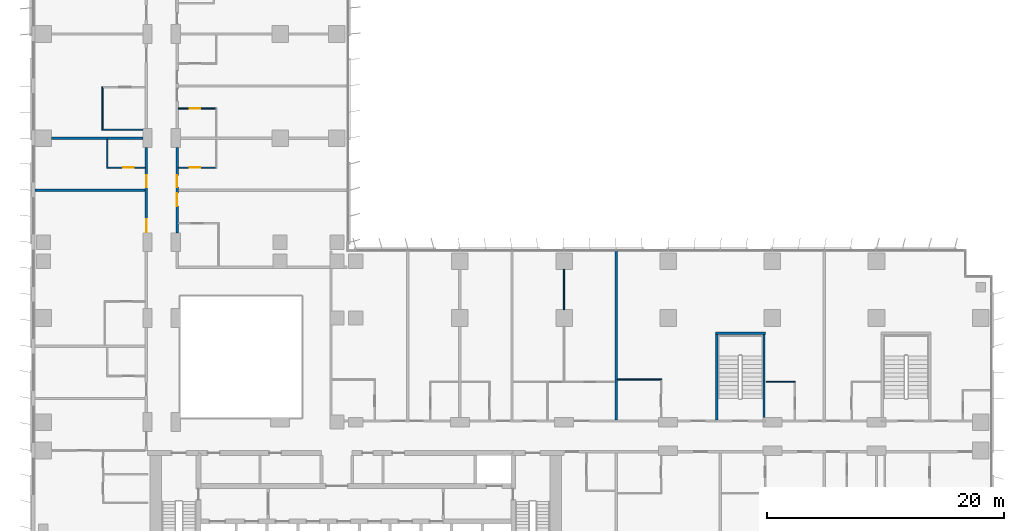
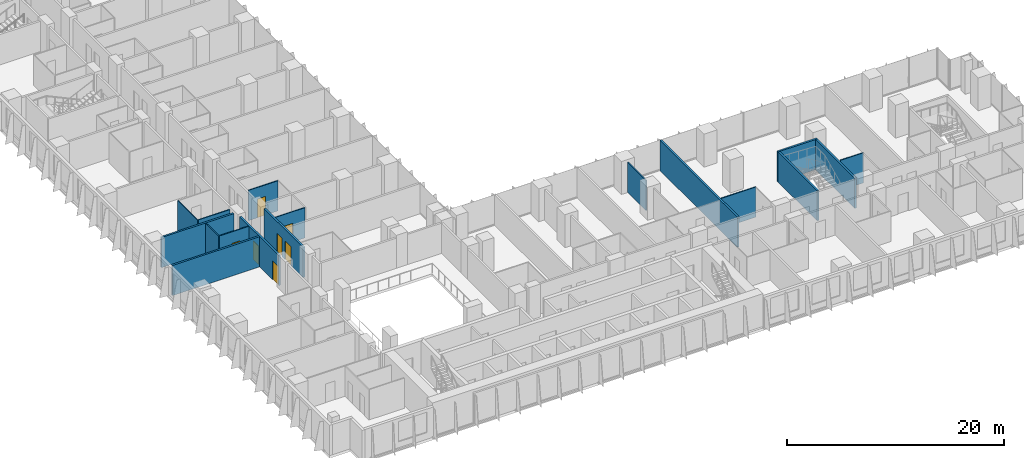
# One storey, part 15 of 24: 17 walls, 7 doors, 7 openings.
"""IFC4 building model written with IfcOpenShell, lengths in metres."""

from ifc_helpers import new_model, si_unit, direction, frame, frame_2d, origin, place, context, subcontext, project, spatial, rectangle, extrude, material, layer, layer_set, type_object, element, fill, save


model = new_model("IFC4")

# Units and contexts
model_context = context("Model", 3, precision=1e-05, world=origin(), true_north=direction((0.0, 1.0)))
body_context = subcontext(model_context, "Body", "Model", "MODEL_VIEW")
ifc_project = project(units=[si_unit("LENGTHUNIT", "METRE"), si_unit("AREAUNIT", "SQUARE_METRE"), si_unit("VOLUMEUNIT", "CUBIC_METRE"), si_unit("PLANEANGLEUNIT", "RADIAN"), si_unit("MASSUNIT", "GRAM", prefix="KILO")], contexts=[model_context])

# Site, building, storey
site_placement = place(None, origin())
site = spatial("IfcSite", under=ifc_project, at=site_placement, CompositionType="ELEMENT")
building_placement = place(site_placement, origin())
building = spatial("IfcBuilding", under=site, at=building_placement, Name="Kemantara Hotel Tower", CompositionType="ELEMENT")
storey_placement = place(building_placement, frame((0.0, 0.0, 59.89990234375)))
storey = spatial("IfcBuildingStorey", under=building, at=storey_placement, Name="L13", CompositionType="ELEMENT", Elevation=59.89990234375)

# Wall, openings, doors
ifc_material_1 = material(Name="Gypsum board partition, steel studs and mineral wool, 200 mm", Category="steel")
ifc_layer_1 = layer(ifc_material_1, 0.199951171875)
ifc_layer_set_1 = layer_set([ifc_layer_1], Name="Gypsum board partition, steel studs and mineral wool, 200 mm")
wall_type_1 = type_object("IfcWallType", Name="CORRIDOR WALL 200", PredefinedType="PARTITIONING", material=ifc_layer_set_1)
wall_1_placement = place(storey_placement, frame((9.699951171875, 28.2001953125, 0.0), z_axis=(0.0, 0.0, 1.0), x_axis=(0.0, 1.0, 0.0)))
wall_1 = element("IfcWall", 1, at=wall_1_placement, inside=storey, type_object=wall_type_1, Name="CORRIDOR WALL 200 028", PredefinedType="PARTITIONING", context=body_context, shape_type="SweptSolid", body=[
    extrude(rectangle(XDim=7.19970703125, YDim=0.199951171875, at=frame_2d((3.599853515625, 0.0))), origin(), (0.0, 0.0, 1.0), 3.400146484375),
])
opening_1_placement = place(wall_1_placement, frame((0.0498046875, 0.0, 0.0)))
opening_1 = element("IfcOpeningElement", 2, at=opening_1_placement, cuts=wall_1, Name="Opening F04-035", PredefinedType="OPENING", context=body_context, shape_type="SweptSolid", body=[
    extrude(rectangle(XDim=1.10009765625, YDim=2.10009765625, at=frame_2d((0.550048828125, 1.050048828125))), frame((0.0, 0.10986328125, 0.0), z_axis=(0.0, -1.0, 0.0), x_axis=(1.0, 0.0, 0.0)), (0.0, 0.0, 1.0), 0.219970703125),
])
opening_2_placement = place(wall_1_placement, frame((3.849853515625, 0.0, 0.0)))
opening_2 = element("IfcOpeningElement", 3, at=opening_2_placement, cuts=wall_1, Name="Opening F04-037", PredefinedType="OPENING", context=body_context, shape_type="SweptSolid", body=[
    extrude(rectangle(XDim=1.0, YDim=2.10009765625, at=frame_2d((0.5, 1.050048828125))), frame((0.0, 0.10986328125, 0.0), z_axis=(0.0, -1.0, 0.0), x_axis=(1.0, 0.0, 0.0)), (0.0, 0.0, 1.0), 0.219970703125),
])
ifc_material_2 = material(Name="Hardwood veneer door leaf with steel frame", Category="steel")
door_type_1 = type_object("IfcDoorType", Name="GUEST ROOM DOOR 1000 X 2100 FD30S", OperationType="NOTDEFINED", PredefinedType="DOOR", material=ifc_material_2)
door_1_placement = place(opening_2_placement, origin())
door_1 = element("IfcDoor", 4, at=door_1_placement, inside=storey, type_object=door_type_1, Name="GUEST ROOM DOOR F04-037", OperationType="SINGLE_SWING_LEFT", OverallHeight=2.10009765625, OverallWidth=1.0, PredefinedType="DOOR", context=body_context, shape_type="SweptSolid", body=[
    extrude(rectangle(XDim=1.0, YDim=2.10009765625, at=frame_2d((0.5, 1.050048828125))), frame((0.0, 0.02490234375, 0.0), z_axis=(0.0, -1.0, 0.0), x_axis=(1.0, 0.0, 0.0)), (0.0, 0.0, 1.0), 0.050048828125),
])
fill(opening_2, door_1)
door_type_2 = type_object("IfcDoorType", Name="SUITE ENTRANCE DOOR 1100 X 2100 FD30S", OperationType="NOTDEFINED", PredefinedType="DOOR", material=ifc_material_2)
door_2_placement = place(opening_1_placement, origin())
door_2 = element("IfcDoor", 5, at=door_2_placement, inside=storey, type_object=door_type_2, Name="SUITE ENTRANCE DOOR F04-035", OperationType="SINGLE_SWING_RIGHT", OverallHeight=2.10009765625, OverallWidth=1.10009765625, PredefinedType="DOOR", context=body_context, shape_type="SweptSolid", body=[
    extrude(rectangle(XDim=1.10009765625, YDim=2.10009765625, at=frame_2d((0.550048828125, 1.050048828125))), frame((0.0, 0.02490234375, 0.0), z_axis=(0.0, -1.0, 0.0), x_axis=(1.0, 0.0, 0.0)), (0.0, 0.0, 1.0), 0.050048828125),
])
fill(opening_1, door_2)

wall_2_placement = place(storey_placement, frame((12.300048828125, 35.39990234375, 0.0), z_axis=(0.0, 0.0, 1.0), x_axis=(0.0, -1.0, 0.0)))
wall_2 = element("IfcWall", 6, at=wall_2_placement, inside=storey, type_object=wall_type_1, Name="CORRIDOR WALL 200 048", PredefinedType="PARTITIONING", context=body_context, shape_type="SweptSolid", body=[
    extrude(rectangle(XDim=7.19970703125, YDim=0.199951171875, at=frame_2d((3.599853515625, 0.0))), origin(), (0.0, 0.0, 1.0), 3.400146484375),
])
opening_3_placement = place(wall_2_placement, frame((3.849853515625, 0.0, 0.0)))
opening_3 = element("IfcOpeningElement", 7, at=opening_3_placement, cuts=wall_2, Name="Opening F04-049", PredefinedType="OPENING", context=body_context, shape_type="SweptSolid", body=[
    extrude(rectangle(XDim=1.10009765625, YDim=2.10009765625, at=frame_2d((0.550048828125, 1.050048828125))), frame((0.0, 0.10986328125, 0.0), z_axis=(0.0, -1.0, 0.0), x_axis=(1.0, 0.0, 0.0)), (0.0, 0.0, 1.0), 0.219970703125),
])
opening_4_placement = place(wall_2_placement, frame((2.349853515625, 0.0, 0.0)))
opening_4 = element("IfcOpeningElement", 8, at=opening_4_placement, cuts=wall_2, Name="Opening F04-051", PredefinedType="OPENING", context=body_context, shape_type="SweptSolid", body=[
    extrude(rectangle(XDim=1.0, YDim=2.10009765625, at=frame_2d((0.5, 1.050048828125))), frame((0.0, 0.10986328125, 0.0), z_axis=(0.0, -1.0, 0.0), x_axis=(1.0, 0.0, 0.0)), (0.0, 0.0, 1.0), 0.219970703125),
])
door_3_placement = place(opening_4_placement, origin())
door_3 = element("IfcDoor", 9, at=door_3_placement, inside=storey, type_object=door_type_1, Name="GUEST ROOM DOOR F04-051", OperationType="SINGLE_SWING_RIGHT", OverallHeight=2.10009765625, OverallWidth=1.0, PredefinedType="DOOR", context=body_context, shape_type="SweptSolid", body=[
    extrude(rectangle(XDim=1.0, YDim=2.10009765625, at=frame_2d((0.5, 1.050048828125))), frame((0.0, 0.02490234375, 0.0), z_axis=(0.0, -1.0, 0.0), x_axis=(1.0, 0.0, 0.0)), (0.0, 0.0, 1.0), 0.050048828125),
])
fill(opening_4, door_3)
door_4_placement = place(opening_3_placement, origin())
door_4 = element("IfcDoor", 10, at=door_4_placement, inside=storey, type_object=door_type_2, Name="SUITE ENTRANCE DOOR F04-049", OperationType="SINGLE_SWING_LEFT", OverallHeight=2.10009765625, OverallWidth=1.10009765625, PredefinedType="DOOR", context=body_context, shape_type="SweptSolid", body=[
    extrude(rectangle(XDim=1.10009765625, YDim=2.10009765625, at=frame_2d((0.550048828125, 1.050048828125))), frame((0.0, 0.02490234375, 0.0), z_axis=(0.0, -1.0, 0.0), x_axis=(1.0, 0.0, 0.0)), (0.0, 0.0, 1.0), 0.050048828125),
])
fill(opening_3, door_4)

# Walls
ifc_material_3 = material(Name="Concrete fc 40 MPa", Category="concrete")
ifc_layer_2 = layer(ifc_material_3, 0.199951171875)
ifc_layer_set_2 = layer_set([ifc_layer_2], Name="Concrete fc 40 MPa")
wall_type_2 = type_object("IfcWallType", Name="Concrete stair wall 200 mm", PredefinedType="SHEAR", material=ifc_layer_set_2)
wall_3_placement = place(storey_placement, frame((57.800048828125, 19.699951171875, 0.0), z_axis=(0.0, 0.0, 1.0), x_axis=(1.0, 0.0, 0.0)))
element("IfcWall", 11, at=wall_3_placement, inside=storey, type_object=wall_type_2, Name="Stair ST3 enclosure wall N", PredefinedType="SHEAR", context=body_context, shape_type="SweptSolid", body=[
    extrude(rectangle(XDim=4.199951171875, YDim=0.199951171875, at=frame_2d((2.10009765625, 0.0))), origin(), (0.0, 0.0, 1.0), 3.400146484375),
])
for number, where, z_axis, x_axis, name in (
    (12, (57.89990234375, 12.39990234375, 0.0), (0.0, 0.0, 1.0), (0.0, 1.0, 0.0), "Stair ST3 enclosure wall W"),
    (13, (61.89990234375, 12.39990234375, 0.0), (0.0, 0.0, 1.0), (0.0, 1.0, 0.0), "Stair ST3 enclosure wall E"),
):
    element("IfcWall", number, at=place(storey_placement, frame(where, z_axis=z_axis, x_axis=x_axis)), inside=storey, type_object=wall_type_2, Name=name, PredefinedType="SHEAR", context=body_context, shape_type="SweptSolid", body=[
        extrude(rectangle(XDim=7.2001953125, YDim=0.199951171875, at=frame_2d((3.60009765625, 0.0))), origin(), (0.0, 0.0, 1.0), 3.400146484375),
    ])
ifc_layer_3 = layer(ifc_material_1, 0.199951171875)
ifc_layer_set_3 = layer_set([ifc_layer_3], Name="Gypsum board partition, steel studs and mineral wool, 200 mm")
wall_type_3 = type_object("IfcWallType", Name="GUEST ROOM PARTY WALL 200", PredefinedType="PARTITIONING", material=ifc_layer_set_3)
wall_4_placement = place(storey_placement, frame((49.39990234375, 12.39990234375, 0.0), z_axis=(0.0, 0.0, 1.0), x_axis=(0.0, 1.0, 0.0)))
element("IfcWall", 14, at=wall_4_placement, inside=storey, type_object=wall_type_3, Name="GUEST ROOM PARTY WALL 200 006", PredefinedType="PARTITIONING", context=body_context, shape_type="SweptSolid", body=[
    extrude(rectangle(XDim=14.27001953125, YDim=0.199951171875, at=frame_2d((7.135009765625, 0.0))), origin(), (0.0, 0.0, 1.0), 3.400146484375),
])
wall_5_placement = place(storey_placement, frame((0.31005859375, 31.800048828125, 0.0), z_axis=(0.0, 0.0, 1.0), x_axis=(1.0, 0.0, 0.0)))
element("IfcWall", 15, at=wall_5_placement, inside=storey, type_object=wall_type_3, Name="GUEST ROOM PARTY WALL 200 036", PredefinedType="PARTITIONING", context=body_context, shape_type="SweptSolid", body=[
    extrude(rectangle(XDim=9.2900390625, YDim=0.199951171875, at=frame_2d((4.64501953125, 0.0))), origin(), (0.0, 0.0, 1.0), 3.400146484375),
])
wall_6_placement = place(storey_placement, frame((1.7001953125, 36.199951171875, 0.0), z_axis=(0.0, 0.0, 1.0), x_axis=(1.0, 0.0, 0.0)))
element("IfcWall", 16, at=wall_6_placement, inside=storey, type_object=wall_type_3, Name="GUEST ROOM PARTY WALL 200 038", PredefinedType="PARTITIONING", context=body_context, shape_type="SweptSolid", body=[
    extrude(rectangle(XDim=7.69970703125, YDim=0.199951171875, at=frame_2d((3.849853515625, 0.0))), origin(), (0.0, 0.0, 1.0), 3.400146484375),
])
ifc_material_4 = material(Name="Gypsum board partition on steel studs, 100 mm", Category="steel")
ifc_layer_4 = layer(ifc_material_4, 0.10009765625)
ifc_layer_set_4 = layer_set([ifc_layer_4], Name="Gypsum board partition on steel studs, 100 mm")
wall_type_4 = type_object("IfcWallType", Name="ROOM PARTITION 100", PredefinedType="PARTITIONING", material=ifc_layer_set_4)
wall_7_placement = place(storey_placement, frame((49.5, 15.800048828125, 0.0), z_axis=(0.0, 0.0, 1.0), x_axis=(1.0, 0.0, 0.0)))
element("IfcWall", 17, at=wall_7_placement, inside=storey, type_object=wall_type_4, Name="ROOM PARTITION 100 078", PredefinedType="PARTITIONING", context=body_context, shape_type="SweptSolid", body=[
    extrude(rectangle(XDim=3.75, YDim=0.10009765625, at=frame_2d((1.875, 0.0))), origin(), (0.0, 0.0, 1.0), 3.400146484375),
])
wall_8_placement = place(storey_placement, frame((62.10009765625, 15.60009765625, 0.0), z_axis=(0.0, 0.0, 1.0), x_axis=(1.0, 0.0, 0.0)))
element("IfcWall", 18, at=wall_8_placement, inside=storey, type_object=wall_type_4, Name="ROOM PARTITION 100 083", PredefinedType="PARTITIONING", context=body_context, shape_type="SweptSolid", body=[
    extrude(rectangle(XDim=2.449951171875, YDim=0.10009765625, at=frame_2d((1.22509765625, 0.0))), origin(), (0.0, 0.0, 1.0), 3.400146484375),
])
wall_9_placement = place(storey_placement, frame((45.0, 21.7001953125, 0.0), z_axis=(0.0, 0.0, 1.0), x_axis=(0.0, 1.0, 0.0)))
element("IfcWall", 19, at=wall_9_placement, inside=storey, type_object=wall_type_4, Name="ROOM PARTITION 100 089", PredefinedType="PARTITIONING", context=body_context, shape_type="SweptSolid", body=[
    extrude(rectangle(XDim=3.399658203125, YDim=0.10009765625, at=frame_2d((1.69970703125, 0.0))), origin(), (0.0, 0.0, 1.0), 3.400146484375),
])
wall_10_placement = place(storey_placement, frame((6.39990234375, 33.64990234375, 0.0), z_axis=(0.0, 0.0, 1.0), x_axis=(0.0, 1.0, 0.0)))
element("IfcWall", 20, at=wall_10_placement, inside=storey, type_object=wall_type_4, Name="ROOM PARTITION 100 100", PredefinedType="PARTITIONING", context=body_context, shape_type="SweptSolid", body=[
    extrude(rectangle(XDim=2.4501953125, YDim=0.10009765625, at=frame_2d((1.22509765625, 0.0))), origin(), (0.0, 0.0, 1.0), 3.400146484375),
])

# Wall, opening, door
wall_11_placement = place(storey_placement, frame((6.449951171875, 33.699951171875, 0.0), z_axis=(0.0, 0.0, 1.0), x_axis=(1.0, 0.0, 0.0)))
wall_11 = element("IfcWall", 21, at=wall_11_placement, inside=storey, type_object=wall_type_4, Name="ROOM PARTITION 100 106", PredefinedType="PARTITIONING", context=body_context, shape_type="SweptSolid", body=[
    extrude(rectangle(XDim=3.150146484375, YDim=0.10009765625, at=frame_2d((1.5751953125, 0.0))), origin(), (0.0, 0.0, 1.0), 3.400146484375),
])
opening_5_placement = place(wall_11_placement, frame((1.300048828125, 0.0, 0.0)))
opening_5 = element("IfcOpeningElement", 22, at=opening_5_placement, cuts=wall_11, Name="Opening F04-038", PredefinedType="OPENING", context=body_context, shape_type="SweptSolid", body=[
    extrude(rectangle(XDim=0.89990234375, YDim=2.10009765625, at=frame_2d((0.449951171875, 1.050048828125))), frame((0.0, 0.06005859375, 0.0), z_axis=(0.0, -1.0, 0.0), x_axis=(1.0, 0.0, 0.0)), (0.0, 0.0, 1.0), 0.1201171875),
])
door_type_3 = type_object("IfcDoorType", Name="BATHROOM DOOR 900 X 2100", OperationType="NOTDEFINED", PredefinedType="DOOR", material=ifc_material_2)
door_5_placement = place(opening_5_placement, origin())
door_5 = element("IfcDoor", 23, at=door_5_placement, inside=storey, type_object=door_type_3, Name="BATHROOM DOOR F04-038", OperationType="SINGLE_SWING_RIGHT", OverallHeight=2.10009765625, OverallWidth=0.89990234375, PredefinedType="DOOR", context=body_context, shape_type="SweptSolid", body=[
    extrude(rectangle(XDim=0.89990234375, YDim=2.10009765625, at=frame_2d((0.449951171875, 1.050048828125))), frame((0.0, 0.02490234375, 0.0), z_axis=(0.0, -1.0, 0.0), x_axis=(1.0, 0.0, 0.0)), (0.0, 0.0, 1.0), 0.050048828125),
])
fill(opening_5, door_5)

wall_12_placement = place(storey_placement, frame((12.39990234375, 33.699951171875, 0.0), z_axis=(0.0, 0.0, 1.0), x_axis=(1.0, 0.0, 0.0)))
wall_12 = element("IfcWall", 24, at=wall_12_placement, inside=storey, type_object=wall_type_4, Name="ROOM PARTITION 100 107", PredefinedType="PARTITIONING", context=body_context, shape_type="SweptSolid", body=[
    extrude(rectangle(XDim=3.150146484375, YDim=0.10009765625, at=frame_2d((1.5751953125, 0.0))), origin(), (0.0, 0.0, 1.0), 3.400146484375),
])
opening_6_placement = place(wall_12_placement, frame((0.949951171875, 0.0, 0.0)))
opening_6 = element("IfcOpeningElement", 25, at=opening_6_placement, cuts=wall_12, Name="Opening F04-052", PredefinedType="OPENING", context=body_context, shape_type="SweptSolid", body=[
    extrude(rectangle(XDim=0.89990234375, YDim=2.10009765625, at=frame_2d((0.449951171875, 1.050048828125))), frame((0.0, 0.06005859375, 0.0), z_axis=(0.0, -1.0, 0.0), x_axis=(1.0, 0.0, 0.0)), (0.0, 0.0, 1.0), 0.1201171875),
])
door_6_placement = place(opening_6_placement, origin())
door_6 = element("IfcDoor", 26, at=door_6_placement, inside=storey, type_object=door_type_3, Name="BATHROOM DOOR F04-052", OperationType="SINGLE_SWING_LEFT", OverallHeight=2.10009765625, OverallWidth=0.89990234375, PredefinedType="DOOR", context=body_context, shape_type="SweptSolid", body=[
    extrude(rectangle(XDim=0.89990234375, YDim=2.10009765625, at=frame_2d((0.449951171875, 1.050048828125))), frame((0.0, 0.02490234375, 0.0), z_axis=(0.0, -1.0, 0.0), x_axis=(1.0, 0.0, 0.0)), (0.0, 0.0, 1.0), 0.050048828125),
])
fill(opening_6, door_6)

# Walls
wall_13_placement = place(storey_placement, frame((6.0, 36.85009765625, 0.0), z_axis=(0.0, 0.0, 1.0), x_axis=(0.0, 1.0, 0.0)))
element("IfcWall", 27, at=wall_13_placement, inside=storey, type_object=wall_type_4, Name="ROOM PARTITION 100 108", PredefinedType="PARTITIONING", context=body_context, shape_type="SweptSolid", body=[
    extrude(rectangle(XDim=3.699951171875, YDim=0.10009765625, at=frame_2d((1.85009765625, 0.0))), origin(), (0.0, 0.0, 1.0), 3.400146484375),
])
wall_14_placement = place(storey_placement, frame((6.050048828125, 36.89990234375, 0.0), z_axis=(0.0, 0.0, 1.0), x_axis=(1.0, 0.0, 0.0)))
element("IfcWall", 28, at=wall_14_placement, inside=storey, type_object=wall_type_4, Name="ROOM PARTITION 100 110", PredefinedType="PARTITIONING", context=body_context, shape_type="SweptSolid", body=[
    extrude(rectangle(XDim=3.349853515625, YDim=0.10009765625, at=frame_2d((1.6748046875, 0.0))), origin(), (0.0, 0.0, 1.0), 3.400146484375),
])

# Wall, opening, door
wall_15_placement = place(storey_placement, frame((15.550048828125, 38.699951171875, 0.0), z_axis=(0.0, 0.0, 1.0), x_axis=(-1.0, 0.0, 0.0)))
wall_15 = element("IfcWall", 29, at=wall_15_placement, inside=storey, type_object=wall_type_4, Name="ROOM PARTITION 100 128", PredefinedType="PARTITIONING", context=body_context, shape_type="SweptSolid", body=[
    extrude(rectangle(XDim=3.150146484375, YDim=0.10009765625, at=frame_2d((1.5751953125, 0.0))), origin(), (0.0, 0.0, 1.0), 3.400146484375),
])
opening_7_placement = place(wall_15_placement, frame((1.300048828125, 0.0, 0.0)))
opening_7 = element("IfcOpeningElement", 30, at=opening_7_placement, cuts=wall_15, Name="Opening F04-054", PredefinedType="OPENING", context=body_context, shape_type="SweptSolid", body=[
    extrude(rectangle(XDim=0.89990234375, YDim=2.10009765625, at=frame_2d((0.449951171875, 1.050048828125))), frame((0.0, 0.06005859375, 0.0), z_axis=(0.0, -1.0, 0.0), x_axis=(1.0, 0.0, 0.0)), (0.0, 0.0, 1.0), 0.1201171875),
])
door_7_placement = place(opening_7_placement, origin())
door_7 = element("IfcDoor", 31, at=door_7_placement, inside=storey, type_object=door_type_3, Name="BATHROOM DOOR F04-054", OperationType="SINGLE_SWING_RIGHT", OverallHeight=2.10009765625, OverallWidth=0.89990234375, PredefinedType="DOOR", context=body_context, shape_type="SweptSolid", body=[
    extrude(rectangle(XDim=0.89990234375, YDim=2.10009765625, at=frame_2d((0.449951171875, 1.050048828125))), frame((0.0, 0.02490234375, 0.0), z_axis=(0.0, -1.0, 0.0), x_axis=(1.0, 0.0, 0.0)), (0.0, 0.0, 1.0), 0.050048828125),
])
fill(opening_7, door_7)

save(model, "model.ifc")
